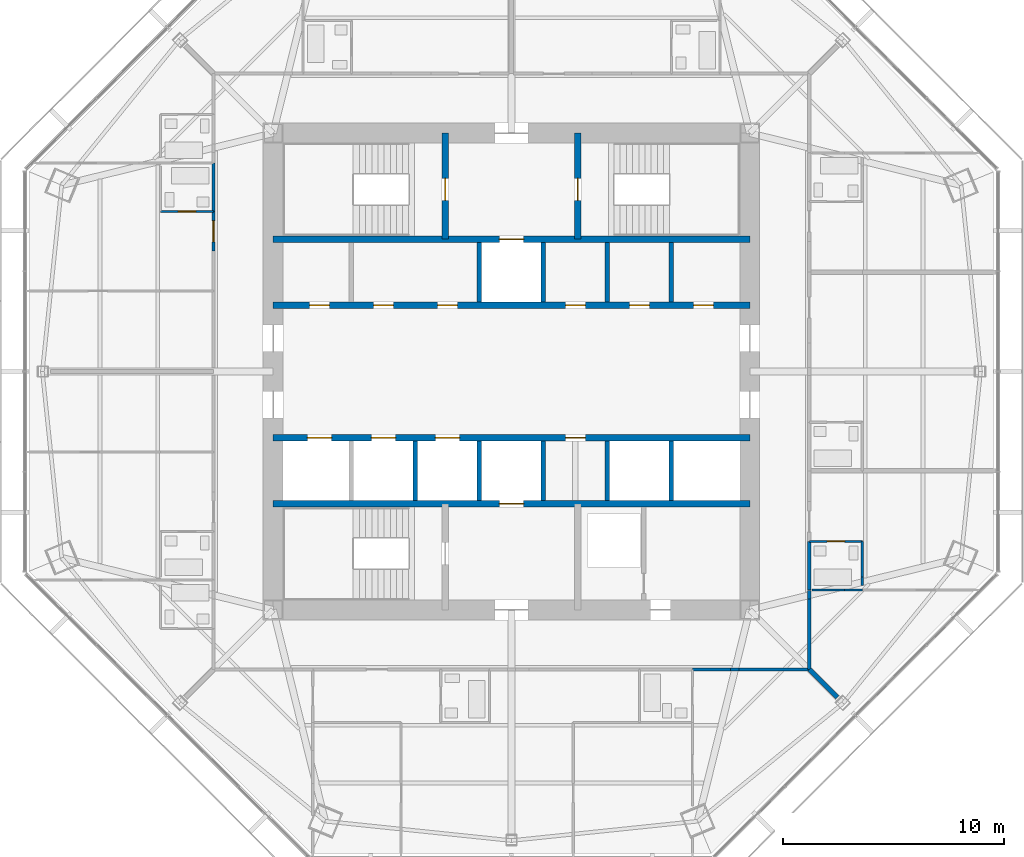
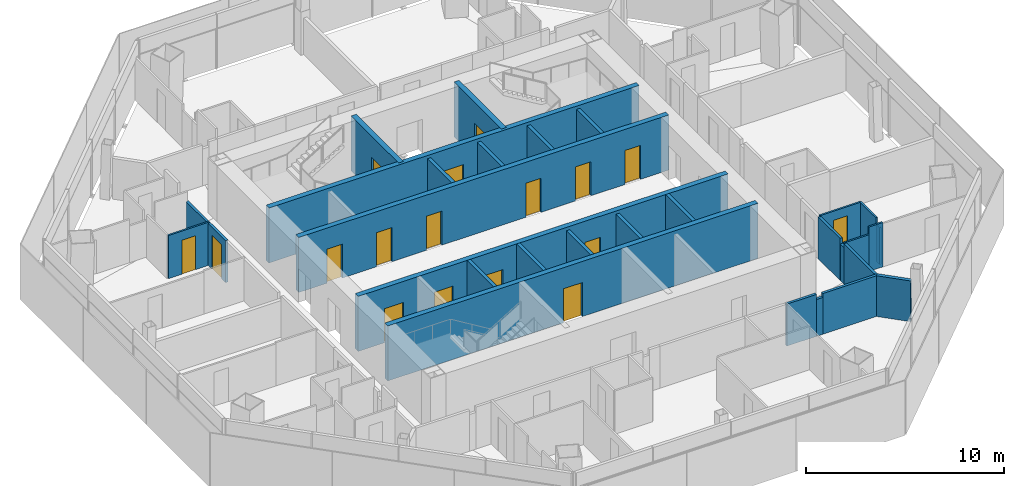
# One storey, part 10 of 15: 30 walls, 17 doors, 17 openings.
"""IFC4 building model written with IfcOpenShell, lengths in metres."""

from ifc_helpers import new_model, si_unit, direction, frame, frame_2d, origin, place, context, subcontext, project, spatial, rectangle, extrude, material, layer, layer_set, type_object, element, fill, save


model = new_model("IFC4")

# Units and contexts
model_context = context("Model", 3, precision=1e-05, world=origin(), true_north=direction((0.0, 1.0)))
body_context = subcontext(model_context, "Body", "Model", "MODEL_VIEW")
ifc_project = project(units=[si_unit("LENGTHUNIT", "METRE"), si_unit("AREAUNIT", "SQUARE_METRE"), si_unit("VOLUMEUNIT", "CUBIC_METRE"), si_unit("PLANEANGLEUNIT", "RADIAN"), si_unit("MASSUNIT", "GRAM", prefix="KILO")], contexts=[model_context])

# Site, building, storey
site_placement = place(None, origin())
site = spatial("IfcSite", under=ifc_project, at=site_placement, CompositionType="ELEMENT")
building_placement = place(site_placement, origin())
building = spatial("IfcBuilding", under=site, at=building_placement, Name="Mashrafa Tower", CompositionType="ELEMENT")
storey_placement = place(building_placement, frame((0.0, 0.0, 210.800048828125)))
storey = spatial("IfcBuildingStorey", under=building, at=storey_placement, Name="L48", CompositionType="ELEMENT", Elevation=210.800048828125)

# Wall
ifc_material_1 = material(Name="Gypsum board on steel studs", Category="steel")
ifc_layer_1 = layer(ifc_material_1, 0.199951171875)
ifc_layer_set_1 = layer_set([ifc_layer_1], Name="Acoustic partition 200 1 hr")
wall_type_1 = type_object("IfcWallType", Name="Acoustic partition 200 1 hr", PredefinedType="PARTITIONING", material=ifc_layer_set_1)
wall_1_placement = place(storey_placement, frame((13.5, -13.5, 0.0), z_axis=(0.0, 0.0, 1.0), x_axis=(0.707106781187, -0.707106781187, 0.0)))
element("IfcWall", 1, at=wall_1_placement, inside=storey, type_object=wall_type_1, Name="Acoustic wall L48-063", PredefinedType="PARTITIONING", context=body_context, shape_type="SweptSolid", body=[
    extrude(rectangle(XDim=1.79443359375, YDim=0.199951171875, at=frame_2d((0.897216796875, 0.0))), origin(), (0.0, 0.0, 1.0), 2.51171875),
])

# Wall, openings, doors
ifc_material_2 = material(Name="Concrete C50/60", Category="concrete")
ifc_layer_2 = layer(ifc_material_2, 0.300048828125)
ifc_layer_set_2 = layer_set([ifc_layer_2], Name="Core wall 300 C50/60")
wall_type_2 = type_object("IfcWallType", Name="Core wall 300 C50/60", PredefinedType="SOLIDWALL", material=ifc_layer_set_2)
wall_2_placement = place(storey_placement, frame((-10.800048828125, 3.0, 0.0), z_axis=(0.0, 0.0, 1.0), x_axis=(1.0, 0.0, 0.0)))
wall_2 = element("IfcWall", 2, at=wall_2_placement, inside=storey, type_object=wall_type_2, Name="Core wall CH-N L48", PredefinedType="SOLIDWALL", context=body_context, shape_type="SweptSolid", body=[
    extrude(rectangle(XDim=21.60009765625, YDim=0.300048828125, at=frame_2d((10.800048828125, 0.0))), origin(), (0.0, 0.0, 1.0), 3.39990234375),
])
opening_1_placement = place(wall_2_placement, frame((1.64990234375, 0.0, 0.0)))
opening_1 = element("IfcOpeningElement", 3, at=opening_1_placement, cuts=wall_2, Name="Opening 48.043", PredefinedType="OPENING", context=body_context, shape_type="SweptSolid", body=[
    extrude(rectangle(XDim=0.89990234375, YDim=2.10009765625, at=frame_2d((0.449951171875, 1.050048828125))), frame((0.0, 0.159912109375, 0.0), z_axis=(0.0, -1.0, 0.0), x_axis=(1.0, 0.0, 0.0)), (0.0, 0.0, 1.0), 0.320068359375),
])
opening_2_placement = place(wall_2_placement, frame((4.550048828125, 0.0, 0.0)))
opening_2 = element("IfcOpeningElement", 4, at=opening_2_placement, cuts=wall_2, Name="Opening 48.044", PredefinedType="OPENING", context=body_context, shape_type="SweptSolid", body=[
    extrude(rectangle(XDim=0.89990234375, YDim=2.10009765625, at=frame_2d((0.449951171875, 1.050048828125))), frame((0.0, 0.159912109375, 0.0), z_axis=(0.0, -1.0, 0.0), x_axis=(1.0, 0.0, 0.0)), (0.0, 0.0, 1.0), 0.320068359375),
])
opening_3_placement = place(wall_2_placement, frame((7.449951171875, 0.0, 0.0)))
opening_3 = element("IfcOpeningElement", 5, at=opening_3_placement, cuts=wall_2, Name="Opening 48.045", PredefinedType="OPENING", context=body_context, shape_type="SweptSolid", body=[
    extrude(rectangle(XDim=0.89990234375, YDim=2.10009765625, at=frame_2d((0.449951171875, 1.050048828125))), frame((0.0, 0.159912109375, 0.0), z_axis=(0.0, -1.0, 0.0), x_axis=(1.0, 0.0, 0.0)), (0.0, 0.0, 1.0), 0.320068359375),
])
opening_4_placement = place(wall_2_placement, frame((13.25, 0.0, 0.0)))
opening_4 = element("IfcOpeningElement", 6, at=opening_4_placement, cuts=wall_2, Name="Opening 48.046", PredefinedType="OPENING", context=body_context, shape_type="SweptSolid", body=[
    extrude(rectangle(XDim=0.89990234375, YDim=2.10009765625, at=frame_2d((0.449951171875, 1.050048828125))), frame((0.0, 0.159912109375, 0.0), z_axis=(0.0, -1.0, 0.0), x_axis=(1.0, 0.0, 0.0)), (0.0, 0.0, 1.0), 0.320068359375),
])
opening_5_placement = place(wall_2_placement, frame((16.14990234375, 0.0, 0.0)))
opening_5 = element("IfcOpeningElement", 7, at=opening_5_placement, cuts=wall_2, Name="Opening 48.048", PredefinedType="OPENING", context=body_context, shape_type="SweptSolid", body=[
    extrude(rectangle(XDim=0.89990234375, YDim=2.10009765625, at=frame_2d((0.449951171875, 1.050048828125))), frame((0.0, 0.159912109375, 0.0), z_axis=(0.0, -1.0, 0.0), x_axis=(1.0, 0.0, 0.0)), (0.0, 0.0, 1.0), 0.320068359375),
])
opening_6_placement = place(wall_2_placement, frame((19.050048828125, 0.0, 0.0)))
opening_6 = element("IfcOpeningElement", 8, at=opening_6_placement, cuts=wall_2, Name="Opening 48.049", PredefinedType="OPENING", context=body_context, shape_type="SweptSolid", body=[
    extrude(rectangle(XDim=0.89990234375, YDim=2.10009765625, at=frame_2d((0.449951171875, 1.050048828125))), frame((0.0, 0.159912109375, 0.0), z_axis=(0.0, -1.0, 0.0), x_axis=(1.0, 0.0, 0.0)), (0.0, 0.0, 1.0), 0.320068359375),
])
ifc_material_3 = material(Name="Timber door", Category="wood")
door_type_1 = type_object("IfcDoorType", Name="Store door 900 x 2100", OperationType="USERDEFINED", PredefinedType="DOOR", material=ifc_material_3)
door_1_placement = place(opening_1_placement, origin())
door_1 = element("IfcDoor", 9, at=door_1_placement, inside=storey, type_object=door_type_1, Name="Refuse Chute Room L48 door", OperationType="SINGLE_SWING_RIGHT", OverallHeight=2.10009765625, OverallWidth=0.89990234375, PredefinedType="DOOR", context=body_context, shape_type="SweptSolid", body=[
    extrude(rectangle(XDim=0.89990234375, YDim=2.10009765625, at=frame_2d((0.449951171875, 1.050048828125))), frame((0.0, 0.02490234375, 0.0), z_axis=(0.0, -1.0, 0.0), x_axis=(1.0, 0.0, 0.0)), (0.0, 0.0, 1.0), 0.050048828125),
])
fill(opening_1, door_1)
door_2_placement = place(opening_2_placement, origin())
door_2 = element("IfcDoor", 10, at=door_2_placement, inside=storey, type_object=door_type_1, Name="Housekeeping and Linen Room L48 door", OperationType="SINGLE_SWING_LEFT", OverallHeight=2.10009765625, OverallWidth=0.89990234375, PredefinedType="DOOR", context=body_context, shape_type="SweptSolid", body=[
    extrude(rectangle(XDim=0.89990234375, YDim=2.10009765625, at=frame_2d((0.449951171875, 1.050048828125))), frame((0.0, 0.02490234375, 0.0), z_axis=(0.0, -1.0, 0.0), x_axis=(1.0, 0.0, 0.0)), (0.0, 0.0, 1.0), 0.050048828125),
])
fill(opening_2, door_2)
door_3_placement = place(opening_3_placement, origin())
door_3 = element("IfcDoor", 11, at=door_3_placement, inside=storey, type_object=door_type_1, Name="Housekeeping and Linen Room L48 door", OperationType="SINGLE_SWING_RIGHT", OverallHeight=2.10009765625, OverallWidth=0.89990234375, PredefinedType="DOOR", context=body_context, shape_type="SweptSolid", body=[
    extrude(rectangle(XDim=0.89990234375, YDim=2.10009765625, at=frame_2d((0.449951171875, 1.050048828125))), frame((0.0, 0.02490234375, 0.0), z_axis=(0.0, -1.0, 0.0), x_axis=(1.0, 0.0, 0.0)), (0.0, 0.0, 1.0), 0.050048828125),
])
fill(opening_3, door_3)
door_4_placement = place(opening_4_placement, origin())
door_4 = element("IfcDoor", 12, at=door_4_placement, inside=storey, type_object=door_type_1, Name="Cleaner's Store L48 door", OperationType="SINGLE_SWING_LEFT", OverallHeight=2.10009765625, OverallWidth=0.89990234375, PredefinedType="DOOR", context=body_context, shape_type="SweptSolid", body=[
    extrude(rectangle(XDim=0.89990234375, YDim=2.10009765625, at=frame_2d((0.449951171875, 1.050048828125))), frame((0.0, 0.02490234375, 0.0), z_axis=(0.0, -1.0, 0.0), x_axis=(1.0, 0.0, 0.0)), (0.0, 0.0, 1.0), 0.050048828125),
])
fill(opening_4, door_4)
door_5_placement = place(opening_5_placement, origin())
door_5 = element("IfcDoor", 13, at=door_5_placement, inside=storey, type_object=door_type_1, Name="Residents' Store L48-K1 door", OperationType="SINGLE_SWING_LEFT", OverallHeight=2.10009765625, OverallWidth=0.89990234375, PredefinedType="DOOR", context=body_context, shape_type="SweptSolid", body=[
    extrude(rectangle(XDim=0.89990234375, YDim=2.10009765625, at=frame_2d((0.449951171875, 1.050048828125))), frame((0.0, 0.02490234375, 0.0), z_axis=(0.0, -1.0, 0.0), x_axis=(1.0, 0.0, 0.0)), (0.0, 0.0, 1.0), 0.050048828125),
])
fill(opening_5, door_5)
door_6_placement = place(opening_6_placement, origin())
door_6 = element("IfcDoor", 14, at=door_6_placement, inside=storey, type_object=door_type_1, Name="Residents' Store L48-K2 door", OperationType="SINGLE_SWING_LEFT", OverallHeight=2.10009765625, OverallWidth=0.89990234375, PredefinedType="DOOR", context=body_context, shape_type="SweptSolid", body=[
    extrude(rectangle(XDim=0.89990234375, YDim=2.10009765625, at=frame_2d((0.449951171875, 1.050048828125))), frame((0.0, 0.02490234375, 0.0), z_axis=(0.0, -1.0, 0.0), x_axis=(1.0, 0.0, 0.0)), (0.0, 0.0, 1.0), 0.050048828125),
])
fill(opening_6, door_6)

# Wall, opening, door
wall_3_placement = place(storey_placement, frame((-10.800048828125, 6.0, 0.0), z_axis=(0.0, 0.0, 1.0), x_axis=(1.0, 0.0, 0.0)))
wall_3 = element("IfcWall", 15, at=wall_3_placement, inside=storey, type_object=wall_type_2, Name="Core wall CB-N L48", PredefinedType="SOLIDWALL", context=body_context, shape_type="SweptSolid", body=[
    extrude(rectangle(XDim=21.60009765625, YDim=0.300048828125, at=frame_2d((10.800048828125, 0.0))), origin(), (0.0, 0.0, 1.0), 3.39990234375),
])
opening_7_placement = place(wall_3_placement, frame((10.25, 0.0, 0.0)))
opening_7 = element("IfcOpeningElement", 16, at=opening_7_placement, cuts=wall_3, Name="Opening 48.F1", PredefinedType="OPENING", context=body_context, shape_type="SweptSolid", body=[
    extrude(rectangle(XDim=1.10009765625, YDim=2.10009765625, at=frame_2d((0.550048828125, 1.050048828125))), frame((0.0, 0.159912109375, 0.0), z_axis=(0.0, -1.0, 0.0), x_axis=(1.0, 0.0, 0.0)), (0.0, 0.0, 1.0), 0.320068359375),
])
ifc_material_4 = material(Name="Steel door", Category="steel")
door_type_2 = type_object("IfcDoorType", Name="Lift landing door 1100 x 2100 90 min", OperationType="DOUBLE_DOOR_SLIDING", PredefinedType="DOOR", material=ifc_material_4)
door_7_placement = place(opening_7_placement, origin())
door_7 = element("IfcDoor", 17, at=door_7_placement, inside=storey, type_object=door_type_2, Name="Lift landing door F1 L48", OperationType="DOUBLE_DOOR_SLIDING", OverallHeight=2.10009765625, OverallWidth=1.10009765625, PredefinedType="DOOR", context=body_context, shape_type="SweptSolid", body=[
    extrude(rectangle(XDim=1.10009765625, YDim=2.10009765625, at=frame_2d((0.550048828125, 1.050048828125))), frame((0.0, 0.02490234375, 0.0), z_axis=(0.0, -1.0, 0.0), x_axis=(1.0, 0.0, 0.0)), (0.0, 0.0, 1.0), 0.050048828125),
])
fill(opening_7, door_7)

wall_4_placement = place(storey_placement, frame((-3.0, 6.0, 0.0), z_axis=(0.0, 0.0, 1.0), x_axis=(0.0, 1.0, 0.0)))
wall_4 = element("IfcWall", 18, at=wall_4_placement, inside=storey, type_object=wall_type_2, Name="Core wall CX-NW L48", PredefinedType="SOLIDWALL", context=body_context, shape_type="SweptSolid", body=[
    extrude(rectangle(XDim=4.800048828125, YDim=0.300048828125, at=frame_2d((2.39990234375, 0.0))), origin(), (0.0, 0.0, 1.0), 3.39990234375),
])
opening_8_placement = place(wall_4_placement, frame((1.75, 0.0, 0.0)))
opening_8 = element("IfcOpeningElement", 19, at=opening_8_placement, cuts=wall_4, Name="Opening 48.038", PredefinedType="OPENING", context=body_context, shape_type="SweptSolid", body=[
    extrude(rectangle(XDim=1.0, YDim=2.10009765625, at=frame_2d((0.5, 1.050048828125))), frame((0.0, 0.159912109375, 0.0), z_axis=(0.0, -1.0, 0.0), x_axis=(1.0, 0.0, 0.0)), (0.0, 0.0, 1.0), 0.320068359375),
])
ifc_material_5 = material(Name="Steel door", Category="steel")
door_type_3 = type_object("IfcDoorType", Name="Stair door 1000 x 2100 90 min", OperationType="USERDEFINED", PredefinedType="DOOR", material=ifc_material_5)
door_8_placement = place(opening_8_placement, origin())
door_8 = element("IfcDoor", 20, at=door_8_placement, inside=storey, type_object=door_type_3, Name="Stair S1 door L48", OperationType="SINGLE_SWING_LEFT", OverallHeight=2.10009765625, OverallWidth=1.0, PredefinedType="DOOR", context=body_context, shape_type="SweptSolid", body=[
    extrude(rectangle(XDim=1.0, YDim=2.10009765625, at=frame_2d((0.5, 1.050048828125))), frame((0.0, 0.02490234375, 0.0), z_axis=(0.0, -1.0, 0.0), x_axis=(1.0, 0.0, 0.0)), (0.0, 0.0, 1.0), 0.050048828125),
])
fill(opening_8, door_8)

wall_5_placement = place(storey_placement, frame((3.0, 6.0, 0.0), z_axis=(0.0, 0.0, 1.0), x_axis=(0.0, 1.0, 0.0)))
wall_5 = element("IfcWall", 21, at=wall_5_placement, inside=storey, type_object=wall_type_2, Name="Core wall CX-NE L48", PredefinedType="SOLIDWALL", context=body_context, shape_type="SweptSolid", body=[
    extrude(rectangle(XDim=4.800048828125, YDim=0.300048828125, at=frame_2d((2.39990234375, 0.0))), origin(), (0.0, 0.0, 1.0), 3.39990234375),
])
opening_9_placement = place(wall_5_placement, frame((1.75, 0.0, 0.0)))
opening_9 = element("IfcOpeningElement", 22, at=opening_9_placement, cuts=wall_5, Name="Opening 48.039", PredefinedType="OPENING", context=body_context, shape_type="SweptSolid", body=[
    extrude(rectangle(XDim=1.0, YDim=2.10009765625, at=frame_2d((0.5, 1.050048828125))), frame((0.0, 0.159912109375, 0.0), z_axis=(0.0, -1.0, 0.0), x_axis=(1.0, 0.0, 0.0)), (0.0, 0.0, 1.0), 0.320068359375),
])
door_9_placement = place(opening_9_placement, frame((1.0, 0.0, 0.0), z_axis=(0.0, 0.0, 1.0), x_axis=(-1.0, 0.0, 0.0)))
door_9 = element("IfcDoor", 23, at=door_9_placement, inside=storey, type_object=door_type_3, Name="Stair S2 door L48", OperationType="SINGLE_SWING_RIGHT", OverallHeight=2.10009765625, OverallWidth=1.0, PredefinedType="DOOR", context=body_context, shape_type="SweptSolid", body=[
    extrude(rectangle(XDim=1.0, YDim=2.10009765625, at=frame_2d((0.5, 1.050048828125))), frame((0.0, 0.02490234375, 0.0), z_axis=(0.0, -1.0, 0.0), x_axis=(1.0, 0.0, 0.0)), (0.0, 0.0, 1.0), 0.050048828125),
])
fill(opening_9, door_9)

# Wall, openings, doors
wall_6_placement = place(storey_placement, frame((-10.800048828125, -3.0, 0.0), z_axis=(0.0, 0.0, 1.0), x_axis=(1.0, 0.0, 0.0)))
wall_6 = element("IfcWall", 24, at=wall_6_placement, inside=storey, type_object=wall_type_2, Name="Core wall CH-S L48", PredefinedType="SOLIDWALL", context=body_context, shape_type="SweptSolid", body=[
    extrude(rectangle(XDim=21.60009765625, YDim=0.300048828125, at=frame_2d((10.800048828125, 0.0))), origin(), (0.0, 0.0, 1.0), 3.39990234375),
])
opening_10_placement = place(wall_6_placement, frame((13.25, 0.0, 0.0)))
opening_10 = element("IfcOpeningElement", 25, at=opening_10_placement, cuts=wall_6, Name="Opening 48.047", PredefinedType="OPENING", context=body_context, shape_type="SweptSolid", body=[
    extrude(rectangle(XDim=0.89990234375, YDim=2.10009765625, at=frame_2d((0.449951171875, 1.050048828125))), frame((0.0, 0.159912109375, 0.0), z_axis=(0.0, -1.0, 0.0), x_axis=(1.0, 0.0, 0.0)), (0.0, 0.0, 1.0), 0.320068359375),
])
opening_11_placement = place(wall_6_placement, frame((1.550048828125, 0.0, 0.0)))
opening_11 = element("IfcOpeningElement", 26, at=opening_11_placement, cuts=wall_6, Name="Opening 48.AL1", PredefinedType="OPENING", context=body_context, shape_type="SweptSolid", body=[
    extrude(rectangle(XDim=1.10009765625, YDim=2.10009765625, at=frame_2d((0.550048828125, 1.050048828125))), frame((0.0, 0.159912109375, 0.0), z_axis=(0.0, -1.0, 0.0), x_axis=(1.0, 0.0, 0.0)), (0.0, 0.0, 1.0), 0.320068359375),
])
opening_12_placement = place(wall_6_placement, frame((4.449951171875, 0.0, 0.0)))
opening_12 = element("IfcOpeningElement", 27, at=opening_12_placement, cuts=wall_6, Name="Opening 48.AL2", PredefinedType="OPENING", context=body_context, shape_type="SweptSolid", body=[
    extrude(rectangle(XDim=1.10009765625, YDim=2.10009765625, at=frame_2d((0.550048828125, 1.050048828125))), frame((0.0, 0.159912109375, 0.0), z_axis=(0.0, -1.0, 0.0), x_axis=(1.0, 0.0, 0.0)), (0.0, 0.0, 1.0), 0.320068359375),
])
opening_13_placement = place(wall_6_placement, frame((7.35009765625, 0.0, 0.0)))
opening_13 = element("IfcOpeningElement", 28, at=opening_13_placement, cuts=wall_6, Name="Opening 48.AL3", PredefinedType="OPENING", context=body_context, shape_type="SweptSolid", body=[
    extrude(rectangle(XDim=1.10009765625, YDim=2.10009765625, at=frame_2d((0.550048828125, 1.050048828125))), frame((0.0, 0.159912109375, 0.0), z_axis=(0.0, -1.0, 0.0), x_axis=(1.0, 0.0, 0.0)), (0.0, 0.0, 1.0), 0.320068359375),
])
door_10_placement = place(opening_11_placement, origin())
door_10 = element("IfcDoor", 29, at=door_10_placement, inside=storey, type_object=door_type_2, Name="Lift landing door AL1 L48", OperationType="DOUBLE_DOOR_SLIDING", OverallHeight=2.10009765625, OverallWidth=1.10009765625, PredefinedType="DOOR", context=body_context, shape_type="SweptSolid", body=[
    extrude(rectangle(XDim=1.10009765625, YDim=2.10009765625, at=frame_2d((0.550048828125, 1.050048828125))), frame((0.0, 0.02490234375, 0.0), z_axis=(0.0, -1.0, 0.0), x_axis=(1.0, 0.0, 0.0)), (0.0, 0.0, 1.0), 0.050048828125),
])
fill(opening_11, door_10)
door_11_placement = place(opening_12_placement, origin())
door_11 = element("IfcDoor", 30, at=door_11_placement, inside=storey, type_object=door_type_2, Name="Lift landing door AL2 L48", OperationType="DOUBLE_DOOR_SLIDING", OverallHeight=2.10009765625, OverallWidth=1.10009765625, PredefinedType="DOOR", context=body_context, shape_type="SweptSolid", body=[
    extrude(rectangle(XDim=1.10009765625, YDim=2.10009765625, at=frame_2d((0.550048828125, 1.050048828125))), frame((0.0, 0.02490234375, 0.0), z_axis=(0.0, -1.0, 0.0), x_axis=(1.0, 0.0, 0.0)), (0.0, 0.0, 1.0), 0.050048828125),
])
fill(opening_12, door_11)
door_12_placement = place(opening_13_placement, origin())
door_12 = element("IfcDoor", 31, at=door_12_placement, inside=storey, type_object=door_type_2, Name="Lift landing door AL3 L48", OperationType="DOUBLE_DOOR_SLIDING", OverallHeight=2.10009765625, OverallWidth=1.10009765625, PredefinedType="DOOR", context=body_context, shape_type="SweptSolid", body=[
    extrude(rectangle(XDim=1.10009765625, YDim=2.10009765625, at=frame_2d((0.550048828125, 1.050048828125))), frame((0.0, 0.02490234375, 0.0), z_axis=(0.0, -1.0, 0.0), x_axis=(1.0, 0.0, 0.0)), (0.0, 0.0, 1.0), 0.050048828125),
])
fill(opening_13, door_12)
door_13_placement = place(opening_10_placement, frame((0.89990234375, 0.0, 0.0), z_axis=(0.0, 0.0, 1.0), x_axis=(-1.0, 0.0, 0.0)))
door_13 = element("IfcDoor", 32, at=door_13_placement, inside=storey, type_object=door_type_1, Name="Communications Room L48 door", OperationType="SINGLE_SWING_RIGHT", OverallHeight=2.10009765625, OverallWidth=0.89990234375, PredefinedType="DOOR", context=body_context, shape_type="SweptSolid", body=[
    extrude(rectangle(XDim=0.89990234375, YDim=2.10009765625, at=frame_2d((0.449951171875, 1.050048828125))), frame((0.0, 0.02490234375, 0.0), z_axis=(0.0, -1.0, 0.0), x_axis=(1.0, 0.0, 0.0)), (0.0, 0.0, 1.0), 0.050048828125),
])
fill(opening_10, door_13)

# Wall, opening, door
wall_7_placement = place(storey_placement, frame((-10.800048828125, -6.0, 0.0), z_axis=(0.0, 0.0, 1.0), x_axis=(1.0, 0.0, 0.0)))
wall_7 = element("IfcWall", 33, at=wall_7_placement, inside=storey, type_object=wall_type_2, Name="Core wall CB-S L48", PredefinedType="SOLIDWALL", context=body_context, shape_type="SweptSolid", body=[
    extrude(rectangle(XDim=21.60009765625, YDim=0.300048828125, at=frame_2d((10.800048828125, 0.0))), origin(), (0.0, 0.0, 1.0), 3.39990234375),
])
opening_14_placement = place(wall_7_placement, frame((10.25, 0.0, 0.0)))
opening_14 = element("IfcOpeningElement", 34, at=opening_14_placement, cuts=wall_7, Name="Opening 48.F2", PredefinedType="OPENING", context=body_context, shape_type="SweptSolid", body=[
    extrude(rectangle(XDim=1.10009765625, YDim=2.10009765625, at=frame_2d((0.550048828125, 1.050048828125))), frame((0.0, 0.159912109375, 0.0), z_axis=(0.0, -1.0, 0.0), x_axis=(1.0, 0.0, 0.0)), (0.0, 0.0, 1.0), 0.320068359375),
])
door_14_placement = place(opening_14_placement, origin())
door_14 = element("IfcDoor", 35, at=door_14_placement, inside=storey, type_object=door_type_2, Name="Lift landing door F2 L48", OperationType="DOUBLE_DOOR_SLIDING", OverallHeight=2.10009765625, OverallWidth=1.10009765625, PredefinedType="DOOR", context=body_context, shape_type="SweptSolid", body=[
    extrude(rectangle(XDim=1.10009765625, YDim=2.10009765625, at=frame_2d((0.550048828125, 1.050048828125))), frame((0.0, 0.02490234375, 0.0), z_axis=(0.0, -1.0, 0.0), x_axis=(1.0, 0.0, 0.0)), (0.0, 0.0, 1.0), 0.050048828125),
])
fill(opening_14, door_14)

# Walls
ifc_material_6 = material(Name="Gypsum board on steel studs", Category="steel")
ifc_layer_3 = layer(ifc_material_6, 0.14990234375)
ifc_layer_set_3 = layer_set([ifc_layer_3], Name="Corridor partition 150 1 hr")
wall_type_3 = type_object("IfcWallType", Name="Corridor partition 150 1 hr", PredefinedType="PARTITIONING", material=ifc_layer_set_3)
wall_8_placement = place(storey_placement, frame((13.5, -13.5, 0.0), z_axis=(0.0, 0.0, 1.0), x_axis=(0.0, 1.0, 0.0)))
element("IfcWall", 36, at=wall_8_placement, inside=storey, type_object=wall_type_3, Name="Corridor wall L48-001", PredefinedType="PARTITIONING", context=body_context, shape_type="SweptSolid", body=[
    extrude(rectangle(XDim=3.19482421875, YDim=0.14990234375, at=frame_2d((1.597412109375, 0.0))), origin(), (0.0, 0.0, 1.0), 2.51171875),
])
wall_9_placement = place(storey_placement, frame((13.5, -10.30517578125, 0.0), z_axis=(0.0, 0.0, 1.0), x_axis=(0.0, 1.0, 0.0)))
element("IfcWall", 37, at=wall_9_placement, inside=storey, type_object=wall_type_3, Name="Corridor wall L48-002", PredefinedType="PARTITIONING", context=body_context, shape_type="SweptSolid", body=[
    extrude(rectangle(XDim=0.376220703125, YDim=0.14990234375, at=frame_2d((0.18798828125, 0.0))), origin(), (0.0, 0.0, 1.0), 2.26806640625),
])
for number, where, z_axis, x_axis, name in (
    (38, (13.5, -9.90087890625, 0.0), (0.0, 0.0, 1.0), (0.0, 1.0, 0.0), "Corridor wall L48-003"),
    (39, (-13.5, 9.450927734375, 0.0), (0.0, 0.0, 1.0), (0.0, -1.0, 0.0), "Corridor wall L48-035"),
):
    element("IfcWall", number, at=place(storey_placement, frame(where, z_axis=z_axis, x_axis=x_axis)), inside=storey, type_object=wall_type_3, Name=name, PredefinedType="PARTITIONING", context=body_context, shape_type="SweptSolid", body=[
        extrude(rectangle(XDim=2.201904296875, YDim=0.14990234375, at=frame_2d((1.10107421875, 0.0))), origin(), (0.0, 0.0, 1.0), 2.590576171875),
    ])

# Wall, opening, door
wall_10_placement = place(storey_placement, frame((-13.5, 7.2509765625, 0.0), z_axis=(0.0, 0.0, 1.0), x_axis=(0.0, -1.0, 0.0)))
wall_10 = element("IfcWall", 40, at=wall_10_placement, inside=storey, type_object=wall_type_3, Name="Corridor wall L48-038", PredefinedType="PARTITIONING", context=body_context, shape_type="SweptSolid", body=[
    extrude(rectangle(XDim=1.802001953125, YDim=0.14990234375, at=frame_2d((0.90087890625, 0.0))), origin(), (0.0, 0.0, 1.0), 2.590576171875),
])
opening_15_placement = place(wall_10_placement, frame((0.426025390625, 0.0, 0.0)))
opening_15 = element("IfcOpeningElement", 41, at=opening_15_placement, cuts=wall_10, Name="Opening 48.019", PredefinedType="OPENING", context=body_context, shape_type="SweptSolid", body=[
    extrude(rectangle(XDim=0.949951171875, YDim=2.10009765625, at=frame_2d((0.47509765625, 1.050048828125))), frame((0.0, 0.0849609375, 0.0), z_axis=(0.0, -1.0, 0.0), x_axis=(1.0, 0.0, 0.0)), (0.0, 0.0, 1.0), 0.169921875),
])
ifc_material_7 = material(Name="Steel door", Category="steel")
door_type_4 = type_object("IfcDoorType", Name="Residence entrance door 950 x 2100 20 min", OperationType="USERDEFINED", PredefinedType="DOOR", material=ifc_material_7)
door_15_placement = place(opening_15_placement, frame((0.949951171875, 0.0, 0.0), z_axis=(0.0, 0.0, 1.0), x_axis=(-1.0, 0.0, 0.0)))
door_15 = element("IfcDoor", 42, at=door_15_placement, inside=storey, type_object=door_type_4, Name="Apartment 4806 Living Room door", OperationType="SINGLE_SWING_LEFT", OverallHeight=2.10009765625, OverallWidth=0.949951171875, PredefinedType="DOOR", context=body_context, shape_type="SweptSolid", body=[
    extrude(rectangle(XDim=0.949951171875, YDim=2.10009765625, at=frame_2d((0.47509765625, 1.050048828125))), frame((0.0, 0.02490234375, 0.0), z_axis=(0.0, -1.0, 0.0), x_axis=(1.0, 0.0, 0.0)), (0.0, 0.0, 1.0), 0.050048828125),
])
fill(opening_15, door_15)

# Walls
wall_11_placement = place(storey_placement, frame((8.198974609375, -13.5, 0.0), z_axis=(0.0, 0.0, 1.0), x_axis=(1.0, 0.0, 0.0)))
element("IfcWall", 43, at=wall_11_placement, inside=storey, type_object=wall_type_3, Name="Corridor wall L48-055", PredefinedType="PARTITIONING", context=body_context, shape_type="SweptSolid", body=[
    extrude(rectangle(XDim=1.72998046875, YDim=0.14990234375, at=frame_2d((0.864990234375, 0.0))), origin(), (0.0, 0.0, 1.0), 2.590576171875),
])
wall_12_placement = place(storey_placement, frame((10.30517578125, -13.5, 0.0), z_axis=(0.0, 0.0, 1.0), x_axis=(1.0, 0.0, 0.0)))
element("IfcWall", 44, at=wall_12_placement, inside=storey, type_object=wall_type_3, Name="Corridor wall L48-056", PredefinedType="PARTITIONING", context=body_context, shape_type="SweptSolid", body=[
    extrude(rectangle(XDim=3.19482421875, YDim=0.14990234375, at=frame_2d((1.597412109375, 0.0))), origin(), (0.0, 0.0, 1.0), 2.51171875),
])
wall_13_placement = place(storey_placement, frame((9.928955078125, -13.5, 0.0), z_axis=(0.0, 0.0, 1.0), x_axis=(1.0, 0.0, 0.0)))
element("IfcWall", 45, at=wall_13_placement, inside=storey, type_object=wall_type_3, Name="Corridor wall L48-057", PredefinedType="PARTITIONING", context=body_context, shape_type="SweptSolid", body=[
    extrude(rectangle(XDim=0.376220703125, YDim=0.14990234375, at=frame_2d((0.18798828125, 0.0))), origin(), (0.0, 0.0, 1.0), 2.26806640625),
])
ifc_material_8 = material(Name="Gypsum board on steel studs", Category="steel")
ifc_layer_4 = layer(ifc_material_8, 0.10009765625)
ifc_layer_set_4 = layer_set([ifc_layer_4], Name="Partition 100")
wall_type_4 = type_object("IfcWallType", Name="Partition 100", PredefinedType="PARTITIONING", material=ifc_layer_set_4)
wall_14_placement = place(storey_placement, frame((15.90087890625, -9.89990234375, 0.0), z_axis=(0.0, 0.0, 1.0), x_axis=(-1.0, 0.0, 0.0)))
element("IfcWall", 46, at=wall_14_placement, inside=storey, type_object=wall_type_4, Name="Partition wall L48-060", PredefinedType="PARTITIONING", context=body_context, shape_type="SweptSolid", body=[
    extrude(rectangle(XDim=0.799072265625, YDim=0.10009765625, at=frame_2d((0.3994140625, 0.0))), origin(), (0.0, 0.0, 1.0), 2.740234375),
])
wall_15_placement = place(storey_placement, frame((15.101806640625, -9.89990234375, 0.0), z_axis=(0.0, 0.0, 1.0), x_axis=(-1.0, 0.0, 0.0)))
element("IfcWall", 47, at=wall_15_placement, inside=storey, type_object=wall_type_4, Name="Partition wall L48-061", PredefinedType="PARTITIONING", context=body_context, shape_type="SweptSolid", body=[
    extrude(rectangle(XDim=1.487548828125, YDim=0.10009765625, at=frame_2d((0.74365234375, 0.0))), origin(), (0.0, 0.0, 1.0), 2.26806640625),
])
wall_16_placement = place(storey_placement, frame((15.89990234375, -9.322021484375, 0.0), z_axis=(0.0, 0.0, 1.0), x_axis=(0.0, 1.0, 0.0)))
element("IfcWall", 48, at=wall_16_placement, inside=storey, type_object=wall_type_4, Name="Partition wall L48-064", PredefinedType="PARTITIONING", context=body_context, shape_type="SweptSolid", body=[
    extrude(rectangle(XDim=1.6220703125, YDim=0.10009765625, at=frame_2d((0.81103515625, 0.0))), origin(), (0.0, 0.0, 1.0), 2.6640625),
])
wall_17_placement = place(storey_placement, frame((15.89990234375, -9.697998046875, 0.0), z_axis=(0.0, 0.0, 1.0), x_axis=(0.0, 1.0, 0.0)))
element("IfcWall", 49, at=wall_17_placement, inside=storey, type_object=wall_type_4, Name="Partition wall L48-065", PredefinedType="PARTITIONING", context=body_context, shape_type="SweptSolid", body=[
    extrude(rectangle(XDim=0.3759765625, YDim=0.10009765625, at=frame_2d((0.18798828125, 0.0))), origin(), (0.0, 0.0, 1.0), 2.26806640625),
])

# Wall, opening, door
wall_18_placement = place(storey_placement, frame((15.89990234375, -7.699951171875, 0.0), z_axis=(0.0, 0.0, 1.0), x_axis=(-1.0, 0.0, 0.0)))
wall_18 = element("IfcWall", 50, at=wall_18_placement, inside=storey, type_object=wall_type_4, Name="Partition wall L48-066", PredefinedType="PARTITIONING", context=body_context, shape_type="SweptSolid", body=[
    extrude(rectangle(XDim=2.39990234375, YDim=0.10009765625, at=frame_2d((1.199951171875, 0.0))), origin(), (0.0, 0.0, 1.0), 2.6640625),
])
opening_16_placement = place(wall_18_placement, frame((0.800048828125, 0.0, 0.0)))
opening_16 = element("IfcOpeningElement", 51, at=opening_16_placement, cuts=wall_18, Name="Opening 48.002", PredefinedType="OPENING", context=body_context, shape_type="SweptSolid", body=[
    extrude(rectangle(XDim=0.800048828125, YDim=2.10009765625, at=frame_2d((0.39990234375, 1.050048828125))), frame((0.0, 0.06005859375, 0.0), z_axis=(0.0, -1.0, 0.0), x_axis=(1.0, 0.0, 0.0)), (0.0, 0.0, 1.0), 0.1201171875),
])
ifc_material_9 = material(Name="Timber door", Category="wood")
door_type_5 = type_object("IfcDoorType", Name="Bathroom door 800 x 2100", OperationType="USERDEFINED", PredefinedType="DOOR", material=ifc_material_9)
door_16_placement = place(opening_16_placement, origin())
door_16 = element("IfcDoor", 52, at=door_16_placement, inside=storey, type_object=door_type_5, Name="Apartment 4801 Bathroom door", OperationType="SINGLE_SWING_LEFT", OverallHeight=2.10009765625, OverallWidth=0.800048828125, PredefinedType="DOOR", context=body_context, shape_type="SweptSolid", body=[
    extrude(rectangle(XDim=0.800048828125, YDim=2.10009765625, at=frame_2d((0.39990234375, 1.050048828125))), frame((0.0, 0.02490234375, 0.0), z_axis=(0.0, -1.0, 0.0), x_axis=(1.0, 0.0, 0.0)), (0.0, 0.0, 1.0), 0.050048828125),
])
fill(opening_16, door_16)

wall_19_placement = place(storey_placement, frame((-15.89990234375, 7.25, 0.0), z_axis=(0.0, 0.0, 1.0), x_axis=(1.0, 0.0, 0.0)))
wall_19 = element("IfcWall", 53, at=wall_19_placement, inside=storey, type_object=wall_type_4, Name="Partition wall L48-101", PredefinedType="PARTITIONING", context=body_context, shape_type="SweptSolid", body=[
    extrude(rectangle(XDim=2.39990234375, YDim=0.10009765625, at=frame_2d((1.199951171875, 0.0))), origin(), (0.0, 0.0, 1.0), 2.6640625),
])
opening_17_placement = place(wall_19_placement, frame((0.800048828125, 0.0, 0.0)))
opening_17 = element("IfcOpeningElement", 54, at=opening_17_placement, cuts=wall_19, Name="Opening 48.017", PredefinedType="OPENING", context=body_context, shape_type="SweptSolid", body=[
    extrude(rectangle(XDim=0.800048828125, YDim=2.10009765625, at=frame_2d((0.39990234375, 1.050048828125))), frame((0.0, 0.06005859375, 0.0), z_axis=(0.0, -1.0, 0.0), x_axis=(1.0, 0.0, 0.0)), (0.0, 0.0, 1.0), 0.1201171875),
])
door_17_placement = place(opening_17_placement, origin())
door_17 = element("IfcDoor", 55, at=door_17_placement, inside=storey, type_object=door_type_5, Name="Apartment 4806 Bathroom door", OperationType="SINGLE_SWING_LEFT", OverallHeight=2.10009765625, OverallWidth=0.800048828125, PredefinedType="DOOR", context=body_context, shape_type="SweptSolid", body=[
    extrude(rectangle(XDim=0.800048828125, YDim=2.10009765625, at=frame_2d((0.39990234375, 1.050048828125))), frame((0.0, 0.02490234375, 0.0), z_axis=(0.0, -1.0, 0.0), x_axis=(1.0, 0.0, 0.0)), (0.0, 0.0, 1.0), 0.050048828125),
])
fill(opening_17, door_17)

# Walls
ifc_material_10 = material(Name="Gypsum shaft wall on steel studs", Category="steel")
ifc_layer_5 = layer(ifc_material_10, 0.199951171875)
ifc_layer_set_5 = layer_set([ifc_layer_5], Name="Shaft divider wall 200 2 hr")
wall_type_5 = type_object("IfcWallType", Name="Shaft divider wall 200 2 hr", PredefinedType="PARTITIONING", material=ifc_layer_set_5)
for number, where, z_axis, x_axis, name in (
    (56, (-1.449951171875, 3.14990234375, 0.0), (0.0, 0.0, 1.0), (0.0, 1.0, 0.0), "Shaft divider wall N3 L48"),
    (57, (1.449951171875, 3.14990234375, 0.0), (0.0, 0.0, 1.0), (0.0, 1.0, 0.0), "Shaft divider wall N4 L48"),
    (58, (4.35009765625, 3.14990234375, 0.0), (0.0, 0.0, 1.0), (0.0, 1.0, 0.0), "Shaft divider wall N5 L48"),
    (59, (7.25, 3.14990234375, 0.0), (0.0, 0.0, 1.0), (0.0, 1.0, 0.0), "Shaft divider wall N6 L48"),
):
    element("IfcWall", number, at=place(storey_placement, frame(where, z_axis=z_axis, x_axis=x_axis)), inside=storey, type_object=wall_type_5, Name=name, PredefinedType="PARTITIONING", context=body_context, shape_type="SweptSolid", body=[
        extrude(rectangle(XDim=2.7001953125, YDim=0.199951171875, at=frame_2d((1.35009765625, 0.0))), origin(), (0.0, 0.0, 1.0), 3.199951171875),
    ])
for number, where, z_axis, x_axis, name in (
    (60, (-4.35009765625, -5.85009765625, 0.0), (0.0, 0.0, 1.0), (0.0, 1.0, 0.0), "Shaft divider wall S2 L48"),
    (61, (-1.449951171875, -5.85009765625, 0.0), (0.0, 0.0, 1.0), (0.0, 1.0, 0.0), "Shaft divider wall S3 L48"),
):
    element("IfcWall", number, at=place(storey_placement, frame(where, z_axis=z_axis, x_axis=x_axis)), inside=storey, type_object=wall_type_5, Name=name, PredefinedType="PARTITIONING", context=body_context, shape_type="SweptSolid", body=[
        extrude(rectangle(XDim=2.7001953125, YDim=0.199951171875, at=frame_2d((1.35009765625, 0.0))), origin(), (0.0, 0.0, 1.0), 3.39990234375),
    ])
for number, where, z_axis, x_axis, name in (
    (62, (1.449951171875, -5.85009765625, 0.0), (0.0, 0.0, 1.0), (0.0, 1.0, 0.0), "Shaft divider wall S4 L48"),
    (63, (4.35009765625, -5.85009765625, 0.0), (0.0, 0.0, 1.0), (0.0, 1.0, 0.0), "Shaft divider wall S5 L48"),
):
    element("IfcWall", number, at=place(storey_placement, frame(where, z_axis=z_axis, x_axis=x_axis)), inside=storey, type_object=wall_type_5, Name=name, PredefinedType="PARTITIONING", context=body_context, shape_type="SweptSolid", body=[
        extrude(rectangle(XDim=2.7001953125, YDim=0.199951171875, at=frame_2d((1.35009765625, 0.0))), origin(), (0.0, 0.0, 1.0), 3.199951171875),
    ])
wall_20_placement = place(storey_placement, frame((7.25, -5.85009765625, 0.0), z_axis=(0.0, 0.0, 1.0), x_axis=(0.0, 1.0, 0.0)))
element("IfcWall", 64, at=wall_20_placement, inside=storey, type_object=wall_type_5, Name="Shaft divider wall S6 L48", PredefinedType="PARTITIONING", context=body_context, shape_type="SweptSolid", body=[
    extrude(rectangle(XDim=2.7001953125, YDim=0.199951171875, at=frame_2d((1.35009765625, 0.0))), origin(), (0.0, 0.0, 1.0), 3.39990234375),
])

save(model, "model.ifc")
